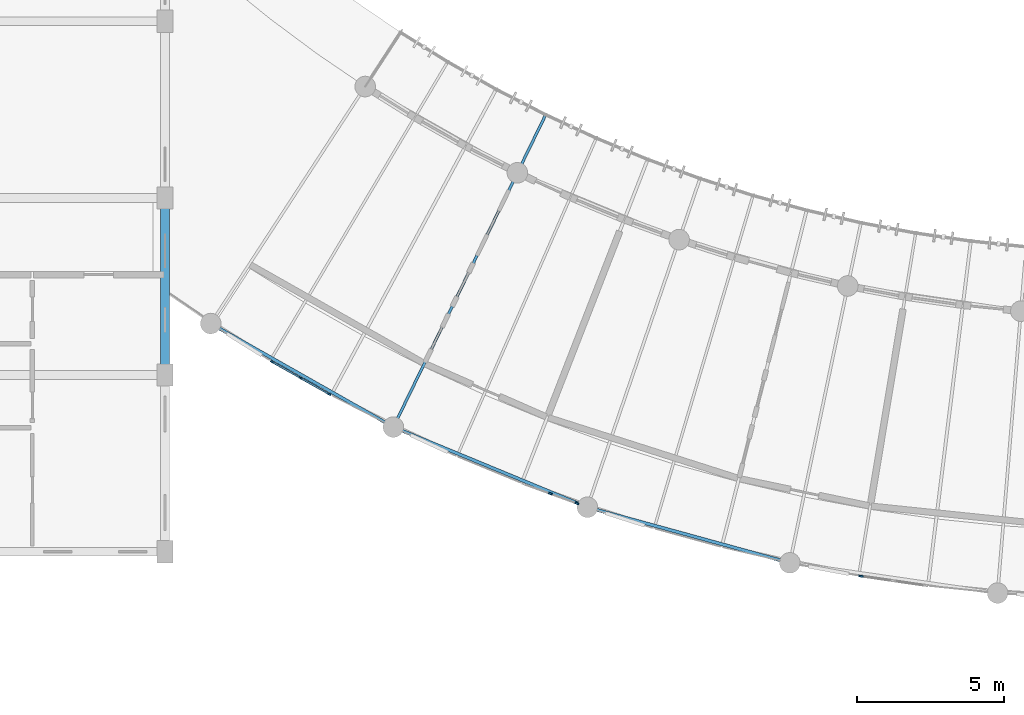
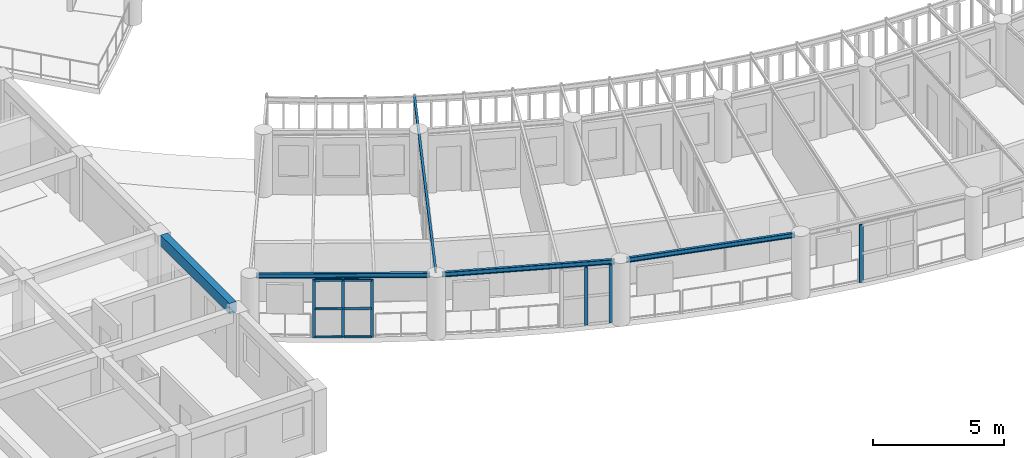
# One storey, part 3 of 123: 12 members, 5 beams, 3 elements without a shape of their own.
"""IFC4 building model written with IfcOpenShell, lengths in metres."""

import ifcopenshell
import ifcopenshell.guid

model = None  # the IFC model being written
_history = None  # IfcOwnerHistory: only IFC2X3 demands one
_inside = {}  # id of a spatial element -> (the spatial element, [elements in it])
_under = {}  # id of a project, library or spatial element -> (it, [spatial elements below it])
_declared = {}  # id of a project -> (the project, [libraries it declares])
_typed = {}  # id of a type object -> (the type object, [elements of that type])
_made_of = {}  # id of a material, layer set ... -> (it, [elements and type objects made of it])


def new_model(schema):
    """Start an empty IFC model of exactly this schema.

    Asked for "IFC4X3", IfcOpenShell would pick the latest addendum, in which some entities
    have other attributes; the version numbers below select the first issue.
    IFC2X3 requires an IfcOwnerHistory on every rooted entity: one is made here for all.
    """
    global model, _history
    if schema == "IFC4X3":
        model = ifcopenshell.file(schema_version=(4, 3, 0, 0))
    else:
        model = ifcopenshell.file(schema=schema)
    _inside.clear()
    _under.clear()
    _declared.clear()
    _typed.clear()
    _made_of.clear()
    _history = None
    if model.schema == "IFC2X3":
        org = make("IfcOrganization", Name="unknown")
        user = make(
            "IfcPersonAndOrganization",
            ThePerson=make("IfcPerson", FamilyName="unknown"),
            TheOrganization=org,
        )
        app = make(
            "IfcApplication",
            ApplicationDeveloper=org,
            Version="unknown",
            ApplicationFullName="unknown",
            ApplicationIdentifier="unknown",
        )
        _history = make(
            "IfcOwnerHistory",
            OwningUser=user,
            OwningApplication=app,
            ChangeAction="ADDED",
            CreationDate=0,
        )
    return model


def make(cls, **values):
    """One entity of the class cls with the attributes given. An attribute that is None is left unset."""
    return model.create_entity(
        cls, **{name: value for name, value in values.items() if value is not None}
    )


def rooted(cls, **values):
    """An entity with a GlobalId (a new one), such as an element, a storey or a relation."""
    return make(cls, GlobalId=ifcopenshell.guid.new(), OwnerHistory=_history, **values)


def si_unit(unit_type, name, prefix=None):
    """IfcSIUnit, for example si_unit("LENGTHUNIT", "METRE", prefix="MILLI")."""
    return make("IfcSIUnit", UnitType=unit_type, Prefix=prefix, Name=name)


def assignment(units):
    """IfcUnitAssignment: the units of a project."""
    return None if units is None else make("IfcUnitAssignment", Units=units)


def point(xyz):
    """IfcCartesianPoint."""
    return None if xyz is None else make("IfcCartesianPoint", Coordinates=xyz)


def direction(xyz):
    """IfcDirection."""
    return None if xyz is None else make("IfcDirection", DirectionRatios=xyz)


def frame(location, z_axis=None, x_axis=None):
    """IfcAxis2Placement3D, a coordinate frame: its origin and axes. An axis left out is left unset."""
    return make(
        "IfcAxis2Placement3D",
        Location=point(location),
        Axis=direction(z_axis),
        RefDirection=direction(x_axis),
    )


def frame_2d(location, x_axis=None):
    """IfcAxis2Placement2D, a coordinate frame in the plane: its origin and x axis."""
    return make(
        "IfcAxis2Placement2D", Location=point(location), RefDirection=direction(x_axis)
    )


def origin():
    """The frame at (0, 0, 0) with its axes left unset."""
    return frame((0.0, 0.0, 0.0))


def origin_2d():
    """The frame at (0, 0) in the plane with its x axis left unset."""
    return frame_2d((0.0, 0.0))


def place(relative_to, where):
    """IfcLocalPlacement: puts the frame where relative to a parent placement (None: the world)."""
    return make(
        "IfcLocalPlacement", PlacementRelTo=relative_to, RelativePlacement=where
    )


def context(
    kind, dimensions, precision=None, world=None, true_north=None, identifier=None
):
    """IfcGeometricRepresentationContext, for example the 3D "Model" context."""
    return make(
        "IfcGeometricRepresentationContext",
        ContextIdentifier=identifier,
        ContextType=kind,
        CoordinateSpaceDimension=dimensions,
        Precision=precision,
        WorldCoordinateSystem=world,
        TrueNorth=true_north,
    )


def subcontext(parent, identifier, kind, view, scale=None):
    """IfcGeometricRepresentationSubContext, for example "Body" below "Model"."""
    return make(
        "IfcGeometricRepresentationSubContext",
        ContextIdentifier=identifier,
        ContextType=kind,
        ParentContext=parent,
        TargetScale=scale,
        TargetView=view,
    )


def project(units=None, contexts=None):
    """IfcProject with its units and contexts."""
    return rooted(
        "IfcProject",
        Name="project",
        RepresentationContexts=contexts,
        UnitsInContext=assignment(units),
    )


def spatial(cls, under=None, at=None, **own):
    """A site, building, storey or space (cls), placed at a placement, below another one or the project."""
    s = rooted(cls, ObjectPlacement=at, **own)
    if under is not None:
        _under.setdefault(under.id(), (under, []))[1].append(s)
    return s


def profile(cls, at=None, kind="AREA", **sizes):
    """A parametric profile (cls). Its sizes go by their IFC names, for example OverallWidth=200.0."""
    return make(cls, ProfileType=kind, Position=at, **sizes)


def rectangle(**sizes):
    """IfcRectangleProfileDef."""
    return profile("IfcRectangleProfileDef", **sizes)


def i_section(**sizes):
    """IfcIShapeProfileDef."""
    return profile("IfcIShapeProfileDef", **sizes)


def extrude(swept, where, along, depth):
    """IfcExtrudedAreaSolid: the profile swept, set in the frame where, extruded along a direction by depth."""
    return make(
        "IfcExtrudedAreaSolid",
        SweptArea=swept,
        Position=where,
        ExtrudedDirection=direction(along),
        Depth=depth,
    )


def shape(context_of_items, identifier, shape_type, items):
    """IfcShapeRepresentation: the items that make up one representation, for example the "Body"."""
    return make(
        "IfcShapeRepresentation",
        ContextOfItems=context_of_items,
        RepresentationIdentifier=identifier,
        RepresentationType=shape_type,
        Items=items,
    )


def material(Name=None, Category=None):
    """IfcMaterial."""
    return make("IfcMaterial", Name=Name, Category=Category)


def layer(
    of_material, thickness, ventilated=None, Name=None, Category=None, Priority=None
):
    """IfcMaterialLayer: one layer of a wall or slab, of a material (None: an air gap)."""
    return make(
        "IfcMaterialLayer",
        Material=of_material,
        LayerThickness=thickness,
        IsVentilated=ventilated,
        Name=Name,
        Category=Category,
        Priority=Priority,
    )


def layer_set(layers, Name=None):
    """IfcMaterialLayerSet."""
    return make("IfcMaterialLayerSet", MaterialLayers=layers, LayerSetName=Name)


def material_profile(
    of_material, cross_section, Name=None, Category=None, Priority=None
):
    """IfcMaterialProfile: a cross section and its material."""
    return make(
        "IfcMaterialProfile",
        Name=Name,
        Material=of_material,
        Profile=cross_section,
        Priority=Priority,
        Category=Category,
    )


def profile_set(profiles, Name=None, composite=None):
    """IfcMaterialProfileSet."""
    return make(
        "IfcMaterialProfileSet",
        Name=Name,
        MaterialProfiles=profiles,
        CompositeProfile=composite,
    )


def made_of(thing, what):
    """Note that an element or type object is made of a material, layer set ...; save() writes the relation."""
    if what is not None:
        _made_of.setdefault(what.id(), (what, []))[1].append(thing)
    return thing


def type_object(cls, material=None, **own):
    """A type object (cls), such as IfcWallType, which elements share."""
    return made_of(rooted(cls, **own), material)


def element(
    cls,
    number,
    at=None,
    inside=None,
    cuts=None,
    type_object=None,
    material=None,
    context=None,
    identifier="Body",
    shape_type=None,
    held_by="IfcProductDefinitionShape",
    body=None,
    shapes=None,
    **own,
):
    """One element of the class cls, such as IfcWall. Its Tag is "e" and its number.

    at: its placement. inside: the storey or other place that contains it. cuts: it is an
    opening in that element (IfcRelVoidsElement). A single representation is given by context,
    identifier, shape_type and body (its items); several are given by shapes. held_by: the class
    of the entity that holds the representations. save() writes the other relations.
    """
    e = rooted(cls, Tag="e%d" % number, ObjectPlacement=at, **own)
    if body is not None:
        shapes = [shape(context, identifier, shape_type, body)]
    if shapes is not None:
        e.Representation = make(held_by, Representations=shapes)
    if inside is not None:
        _inside.setdefault(inside.id(), (inside, []))[1].append(e)
    if cuts is not None:
        rooted(
            "IfcRelVoidsElement", RelatingBuildingElement=cuts, RelatedOpeningElement=e
        )
    if type_object is not None:
        _typed.setdefault(type_object.id(), (type_object, []))[1].append(e)
    return made_of(e, material)


def aggregate(whole, parts):
    """IfcRelAggregates: a whole, such as a stair, and the parts it consists of."""
    return rooted("IfcRelAggregates", RelatingObject=whole, RelatedObjects=parts)


def save(model, path):
    """Write the relations noted so far, then the file.

    IfcRelAggregates (storeys below a building ...), IfcRelContainedInSpatialStructure (elements
    in a storey), IfcRelDefinesByType, IfcRelAssociatesMaterial and IfcRelDeclares: one each for
    every whole, place, type object, material and project.
    """
    for whole, parts in _under.values():
        aggregate(whole, parts)
    for where, things in _inside.values():
        rooted(
            "IfcRelContainedInSpatialStructure",
            RelatedElements=things,
            RelatingStructure=where,
        )
    for kind, things in _typed.values():
        rooted("IfcRelDefinesByType", RelatedObjects=things, RelatingType=kind)
    for what, things in _made_of.values():
        rooted("IfcRelAssociatesMaterial", RelatedObjects=things, RelatingMaterial=what)
    for by, libraries in _declared.values():
        rooted("IfcRelDeclares", RelatingContext=by, RelatedDefinitions=libraries)
    model.write(path)


model = new_model("IFC4")

# Units and contexts
model_context = context("Model", 3, precision=1e-05, world=origin(), true_north=direction((0.0, 1.0)))
body_context = subcontext(model_context, "Body", "Model", "MODEL_VIEW")
ifc_project = project(units=[si_unit("LENGTHUNIT", "METRE"), si_unit("AREAUNIT", "SQUARE_METRE"), si_unit("VOLUMEUNIT", "CUBIC_METRE"), si_unit("PLANEANGLEUNIT", "RADIAN"), si_unit("MASSUNIT", "GRAM", prefix="KILO"), si_unit("POWERUNIT", "WATT"), si_unit("THERMODYNAMICTEMPERATUREUNIT", "KELVIN")], contexts=[model_context])

# Site, building, storey
site_placement = place(None, origin())
site = spatial("IfcSite", under=ifc_project, at=site_placement, CompositionType="ELEMENT")
building_placement = place(site_placement, origin())
building = spatial("IfcBuilding", under=site, at=building_placement, Name="Ruvembo Vaulted Housing Court", CompositionType="ELEMENT")
storey_placement = place(building_placement, frame((0.0, 0.0, 7.699951171875)))
storey = spatial("IfcBuildingStorey", under=building, at=storey_placement, Name="L02", CompositionType="ELEMENT", Elevation=7.699951171875)

# Beams
ifc_material_1 = material(Name="Steel S355J2", Category="steel")
ifc_material_profile_1 = material_profile(ifc_material_1, i_section(OverallWidth=0.091064453125, OverallDepth=0.179931640625, WebThickness=0.00537109375, FlangeThickness=0.008056640625, FilletRadius=0.009033203125, at=origin_2d()), Name="IPE 180")
ifc_profile_set_1 = profile_set([ifc_material_profile_1], Name="Steel S355J2")
beam_type_1 = type_object("IfcBeamType", Name="BM-ST-IPE180", PredefinedType="JOIST", material=ifc_profile_set_1)
beam_1_placement = place(storey_placement, frame((43.8505859375, 10.436279296875, 2.85009765625), z_axis=(0.438385100915, 0.898787240283, 0.0), x_axis=(-0.898787240283, 0.438385100915, 0.0)))
element("IfcBeam", 1, at=beam_1_placement, inside=storey, type_object=beam_type_1, Name="Scoop SC2 L02 Radial Steel Joist 3", PredefinedType="JOIST", context=body_context, shape_type="SweptSolid", body=[
    extrude(i_section(OverallWidth=0.091064453125, OverallDepth=0.179931640625, WebThickness=0.00537109375, FlangeThickness=0.008056640625, FilletRadius=0.009033203125, at=origin_2d()), origin(), (0.0, 0.0, 1.0), 11.60986328125),
])
ifc_material_profile_2 = material_profile(ifc_material_1, i_section(OverallWidth=0.110107421875, OverallDepth=0.219970703125, WebThickness=0.005859375, FlangeThickness=0.00927734375, FilletRadius=0.011962890625, at=origin_2d()), Name="IPE 220")
ifc_profile_set_2 = profile_set([ifc_material_profile_2], Name="Steel S355J2")
beam_type_2 = type_object("IfcBeamType", Name="BM-ST-IPE220", PredefinedType="SPANDREL", material=ifc_profile_set_2)
for number, where, z_axis, x_axis, name in (
    (2, (37.752197265625, 13.62890625, 2.83203125), (0.869984993181, -0.493078200329, 0.0), (0.493078200329, 0.869984993181, 0.0), "Scoop SC2 L02 Chord Girder B0"),
    (3, (43.96240234375, 10.1416015625, 2.83203125), (0.924176536215, -0.381965613517, 0.0), (0.381965613517, 0.924176536215, 0.0), "Scoop SC2 L02 Chord Girder B3"),
):
    element("IfcBeam", number, at=place(storey_placement, frame(where, z_axis=z_axis, x_axis=x_axis)), inside=storey, type_object=beam_type_2, Name=name, PredefinedType="SPANDREL", context=body_context, shape_type="SweptSolid", body=[
        extrude(i_section(OverallWidth=0.110107421875, OverallDepth=0.219970703125, WebThickness=0.005859375, FlangeThickness=0.00927734375, FilletRadius=0.011962890625, at=origin_2d()), origin(), (0.0, 0.0, 1.0), 6.6640625),
    ])
beam_2_placement = place(storey_placement, frame((50.555419921875, 7.447509765625, 2.83203125), z_axis=(0.964261570592, -0.264952115445, 0.0), x_axis=(0.264952115445, 0.964261570592, 0.0)))
element("IfcBeam", 4, at=beam_2_placement, inside=storey, type_object=beam_type_2, Name="Scoop SC2 L02 Chord Girder B6", PredefinedType="SPANDREL", context=body_context, shape_type="SweptSolid", body=[
    extrude(i_section(OverallWidth=0.110107421875, OverallDepth=0.219970703125, WebThickness=0.005859375, FlangeThickness=0.00927734375, FilletRadius=0.011962890625, at=origin_2d()), origin(), (0.0, 0.0, 1.0), 6.663818359375),
])

# Curtain wall, members
ifc_material_2 = material(Name="Anodised Aluminium and Solar-Control Glass", Category="aluminium")
ifc_layer_1 = layer(ifc_material_2, 0.1201171875, Name="Anodised Aluminium and Solar-Control Glass")
ifc_layer_set_1 = layer_set([ifc_layer_1], Name="Anodised Aluminium and Solar-Control Glass")
curtain_wall_type_1 = type_object("IfcCurtainWallType", Name="CW-SCOOP-GAL", PredefinedType="NOTDEFINED", material=ifc_layer_set_1)
curtain_wall_1_placement = place(storey_placement, origin())
curtain_wall_1 = element("IfcCurtainWall", 5, at=curtain_wall_1_placement, inside=storey, type_object=curtain_wall_type_1, Name="L02 Curtain Wall CW-L02-0035", PredefinedType="NOTDEFINED")
ifc_material_3 = material(Name="Anodised Aluminium 6063-T6", Category="aluminium")
ifc_material_profile_3 = material_profile(ifc_material_3, rectangle(XDim=0.054931640625, YDim=0.1201171875, at=origin_2d()), Name="ALU 55x120")
ifc_profile_set_3 = profile_set([ifc_material_profile_3], Name="Anodised Aluminium 6063-T6")
member_type_1 = type_object("IfcMemberType", Name="CW-MUL-55x120", PredefinedType="MULLION", material=ifc_profile_set_3)
member_1_placement = place(storey_placement, frame((39.63671875, 12.4482421875, 0.0), z_axis=(0.0, 0.0, 1.0), x_axis=(0.493079088202, 0.869984489964, 0.0)))
member_1 = element("IfcMember", 6, at=member_1_placement, type_object=member_type_1, Name="CW6 mullion 1", PredefinedType="MULLION", context=body_context, shape_type="SweptSolid", body=[
    extrude(rectangle(XDim=0.054931640625, YDim=0.1201171875, at=origin_2d()), origin(), (0.0, 0.0, 1.0), 2.697998046875),
])
member_2_placement = place(storey_placement, frame((40.602783203125, 11.900634765625, 0.0), z_axis=(0.0, 0.0, 1.0), x_axis=(0.493079088202, 0.869984489964, 0.0)))
member_2 = element("IfcMember", 7, at=member_2_placement, type_object=member_type_1, Name="CW6 mullion 2", PredefinedType="MULLION", context=body_context, shape_type="SweptSolid", body=[
    extrude(rectangle(XDim=0.054931640625, YDim=0.1201171875, at=origin_2d()), origin(), (0.0, 0.0, 1.0), 2.697998046875),
])
member_3_placement = place(storey_placement, frame((41.56884765625, 11.353271484375, 0.0), z_axis=(0.0, 0.0, 1.0), x_axis=(0.493079088202, 0.869984489964, 0.0)))
member_3 = element("IfcMember", 8, at=member_3_placement, type_object=member_type_1, Name="CW6 mullion 3", PredefinedType="MULLION", context=body_context, shape_type="SweptSolid", body=[
    extrude(rectangle(XDim=0.054931640625, YDim=0.1201171875, at=origin_2d()), origin(), (0.0, 0.0, 1.0), 2.697998046875),
])

curtain_wall_2_placement = place(storey_placement, origin())
curtain_wall_2 = element("IfcCurtainWall", 9, at=curtain_wall_2_placement, inside=storey, type_object=curtain_wall_type_1, Name="L02 Curtain Wall CW-L02-0036", PredefinedType="NOTDEFINED")
ifc_material_profile_4 = material_profile(ifc_material_3, rectangle(XDim=0.06005859375, YDim=0.139892578125, at=origin_2d()), Name="ALU 60x140")
ifc_profile_set_4 = profile_set([ifc_material_profile_4], Name="Anodised Aluminium 6063-T6")
member_type_2 = type_object("IfcMemberType", Name="CW-MUL-60x140", PredefinedType="MULLION", material=ifc_profile_set_4)
member_4_placement = place(storey_placement, frame((49.0771484375, 7.968017578125, 0.0), z_axis=(0.0, 0.0, 1.0), x_axis=(0.343530364672, 0.939141570025, 0.0)))
member_4 = element("IfcMember", 10, at=member_4_placement, type_object=member_type_2, Name="CW6 mullion 2", PredefinedType="MULLION", context=body_context, shape_type="SweptSolid", body=[
    extrude(rectangle(XDim=0.06005859375, YDim=0.139892578125, at=origin_2d()), origin(), (0.0, 0.0, 1.0), 2.697998046875),
])
member_5_placement = place(storey_placement, frame((49.976806640625, 7.638916015625, 0.0), z_axis=(0.0, 0.0, 1.0), x_axis=(0.343530364672, 0.939141570025, 0.0)))
member_5 = element("IfcMember", 11, at=member_5_placement, type_object=member_type_2, Name="CW6 mullion 3", PredefinedType="MULLION", context=body_context, shape_type="SweptSolid", body=[
    extrude(rectangle(XDim=0.06005859375, YDim=0.139892578125, at=origin_2d()), origin(), (0.0, 0.0, 1.0), 2.697998046875),
])
aggregate(curtain_wall_2, [member_4, member_5])

# Curtain wall, member
ifc_layer_2 = layer(ifc_material_2, 0.139892578125, Name="Anodised Aluminium and Solar-Control Glass")
ifc_layer_set_2 = layer_set([ifc_layer_2], Name="Anodised Aluminium and Solar-Control Glass")
curtain_wall_type_2 = type_object("IfcCurtainWallType", Name="CW-SCOOP-PAN", PredefinedType="NOTDEFINED", material=ifc_layer_set_2)
curtain_wall_3_placement = place(storey_placement, origin())
curtain_wall_3 = element("IfcCurtainWall", 12, at=curtain_wall_3_placement, inside=storey, type_object=curtain_wall_type_2, Name="L02 Curtain Wall CW-L02-0037", PredefinedType="NOTDEFINED")
ifc_material_profile_5 = material_profile(ifc_material_3, rectangle(XDim=0.06005859375, YDim=0.159912109375, at=origin_2d()), Name="ALU 60x160")
ifc_profile_set_5 = profile_set([ifc_material_profile_5], Name="Anodised Aluminium 6063-T6")
member_type_3 = type_object("IfcMemberType", Name="CW-MULLION-65x150", PredefinedType="MULLION", material=ifc_profile_set_5)
member_6_placement = place(storey_placement, frame((59.617431640625, 5.1708984375, 0.0), z_axis=(0.0, 0.0, 1.0), x_axis=(0.143850661969, 0.989599407362, 0.0)))
member_6 = element("IfcMember", 13, at=member_6_placement, type_object=member_type_3, Name="CW10 mullion 1", PredefinedType="MULLION", context=body_context, shape_type="SweptSolid", body=[
    extrude(rectangle(XDim=0.06005859375, YDim=0.159912109375, at=origin_2d()), origin(), (0.0, 0.0, 1.0), 2.697998046875),
])
aggregate(curtain_wall_3, [member_6])

# Member
ifc_material_profile_6 = material_profile(ifc_material_3, rectangle(XDim=0.06005859375, YDim=0.10009765625, at=origin_2d()), Name="ALU 60x100")
ifc_profile_set_6 = profile_set([ifc_material_profile_6], Name="Anodised Aluminium 6063-T6")
member_type_4 = type_object("IfcMemberType", Name="CW-TRN-60x100", PredefinedType="USERDEFINED", material=ifc_profile_set_6)
member_7_placement = place(storey_placement, frame((39.66064453125, 12.4345703125, 0.030029296875), z_axis=(0.870045337697, -0.492971713542, 0.0), x_axis=(0.492971713542, 0.870045337697, 0.0)))
member_7 = element("IfcMember", 14, at=member_7_placement, type_object=member_type_4, Name="CW6 transom 1.1", ObjectType="TRANSOM", PredefinedType="USERDEFINED", context=body_context, shape_type="SweptSolid", body=[
    extrude(rectangle(XDim=0.06005859375, YDim=0.10009765625, at=origin_2d()), origin(), (0.0, 0.0, 1.0), 1.055419921875),
])

member_8_placement = place(storey_placement, frame((39.66064453125, 12.4345703125, 1.34912109375), z_axis=(0.870045337697, -0.492971713542, 0.0), x_axis=(0.492971713542, 0.870045337697, 0.0)))
member_8 = element("IfcMember", 15, at=member_8_placement, type_object=member_type_4, Name="CW6 transom 1.2", ObjectType="TRANSOM", PredefinedType="USERDEFINED", context=body_context, shape_type="SweptSolid", body=[
    extrude(rectangle(XDim=0.06005859375, YDim=0.10009765625, at=origin_2d()), origin(), (0.0, 0.0, 1.0), 1.055419921875),
])

member_9_placement = place(storey_placement, frame((39.66064453125, 12.4345703125, 2.66796875), z_axis=(0.870045337697, -0.492971713542, 0.0), x_axis=(0.492971713542, 0.870045337697, 0.0)))
member_9 = element("IfcMember", 16, at=member_9_placement, type_object=member_type_4, Name="CW6 transom 1.3", ObjectType="TRANSOM", PredefinedType="USERDEFINED", context=body_context, shape_type="SweptSolid", body=[
    extrude(rectangle(XDim=0.06005859375, YDim=0.10009765625, at=origin_2d()), origin(), (0.0, 0.0, 1.0), 1.055419921875),
])

member_10_placement = place(storey_placement, frame((40.626708984375, 11.88720703125, 0.030029296875), z_axis=(0.86994611066, -0.493146798173, 0.0), x_axis=(0.493146798173, 0.86994611066, 0.0)))
member_10 = element("IfcMember", 17, at=member_10_placement, type_object=member_type_4, Name="CW6 transom 2.1", ObjectType="TRANSOM", PredefinedType="USERDEFINED", context=body_context, shape_type="SweptSolid", body=[
    extrude(rectangle(XDim=0.06005859375, YDim=0.10009765625, at=origin_2d()), origin(), (0.0, 0.0, 1.0), 1.055419921875),
])

member_11_placement = place(storey_placement, frame((40.626708984375, 11.88720703125, 1.34912109375), z_axis=(0.86994611066, -0.493146798173, 0.0), x_axis=(0.493146798173, 0.86994611066, 0.0)))
member_11 = element("IfcMember", 18, at=member_11_placement, type_object=member_type_4, Name="CW6 transom 2.2", ObjectType="TRANSOM", PredefinedType="USERDEFINED", context=body_context, shape_type="SweptSolid", body=[
    extrude(rectangle(XDim=0.06005859375, YDim=0.10009765625, at=origin_2d()), origin(), (0.0, 0.0, 1.0), 1.055419921875),
])

member_12_placement = place(storey_placement, frame((40.626708984375, 11.88720703125, 2.66796875), z_axis=(0.86994611066, -0.493146798173, 0.0), x_axis=(0.493146798173, 0.86994611066, 0.0)))
member_12 = element("IfcMember", 19, at=member_12_placement, type_object=member_type_4, Name="CW6 transom 2.3", ObjectType="TRANSOM", PredefinedType="USERDEFINED", context=body_context, shape_type="SweptSolid", body=[
    extrude(rectangle(XDim=0.06005859375, YDim=0.10009765625, at=origin_2d()), origin(), (0.0, 0.0, 1.0), 1.055419921875),
])

aggregate(curtain_wall_1, [member_1, member_2, member_3, member_7, member_8, member_9, member_10, member_11, member_12])

# Beam
ifc_material_4 = material(Name="Concrete C35/45", Category="concrete")
ifc_material_profile_7 = material_profile(ifc_material_4, rectangle(XDim=0.300048828125, YDim=0.5, at=origin_2d()), Name="RC 300x500")
ifc_profile_set_7 = profile_set([ifc_material_profile_7], Name="Concrete C35/45")
beam_type_3 = type_object("IfcBeamType", Name="SP-RC-300x500", PredefinedType="SPANDREL", material=ifc_profile_set_7)
beam_3_placement = place(storey_placement, frame((36.0, 12.360107421875, 2.705078125), z_axis=(0.0, 1.0, 0.0), x_axis=(-1.0, 0.0, 0.0)))
element("IfcBeam", 20, at=beam_3_placement, inside=storey, type_object=beam_type_3, Name="L02 Grid Beam Y #1599", PredefinedType="SPANDREL", context=body_context, shape_type="SweptSolid", body=[
    extrude(rectangle(XDim=0.300048828125, YDim=0.5, at=origin_2d()), origin(), (0.0, 0.0, 1.0), 5.27978515625),
])

save(model, "model.ifc")
